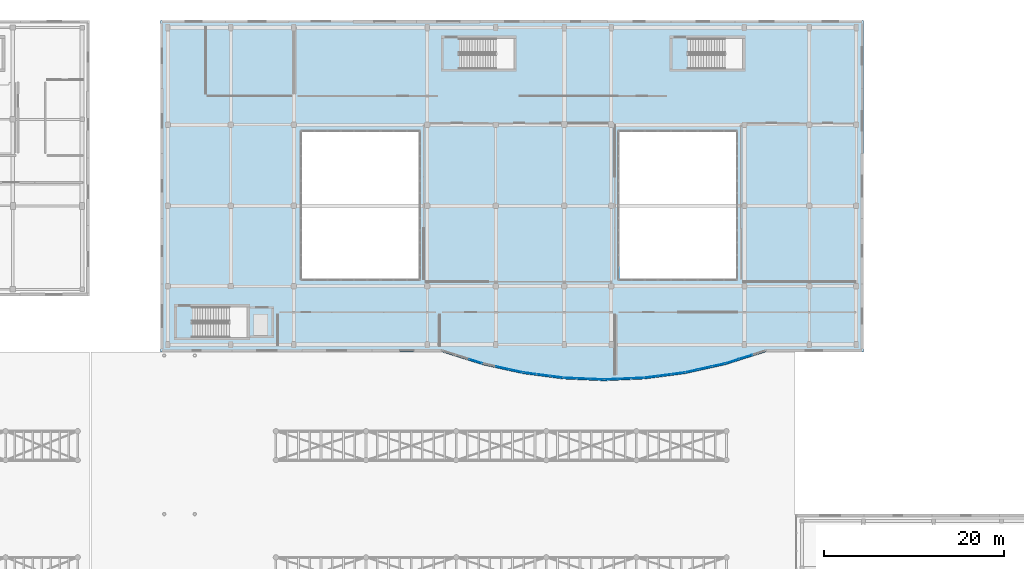
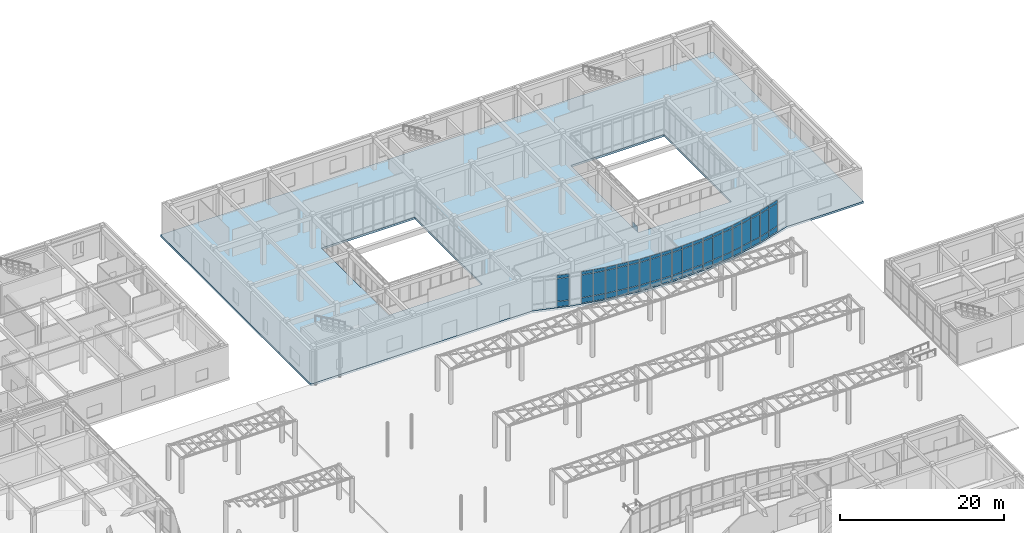
# One storey, part 84 of 121: 61 plates, 1 slab, 9 elements without a shape of their own.
"""IFC4 building model written with IfcOpenShell, lengths in metres."""

import ifcopenshell
import ifcopenshell.guid

model = None  # the IFC model being written
_history = None  # IfcOwnerHistory: only IFC2X3 demands one
_inside = {}  # id of a spatial element -> (the spatial element, [elements in it])
_under = {}  # id of a project, library or spatial element -> (it, [spatial elements below it])
_declared = {}  # id of a project -> (the project, [libraries it declares])
_typed = {}  # id of a type object -> (the type object, [elements of that type])
_made_of = {}  # id of a material, layer set ... -> (it, [elements and type objects made of it])


def new_model(schema):
    """Start an empty IFC model of exactly this schema.

    Asked for "IFC4X3", IfcOpenShell would pick the latest addendum, in which some entities
    have other attributes; the version numbers below select the first issue.
    IFC2X3 requires an IfcOwnerHistory on every rooted entity: one is made here for all.
    """
    global model, _history
    if schema == "IFC4X3":
        model = ifcopenshell.file(schema_version=(4, 3, 0, 0))
    else:
        model = ifcopenshell.file(schema=schema)
    _inside.clear()
    _under.clear()
    _declared.clear()
    _typed.clear()
    _made_of.clear()
    _history = None
    if model.schema == "IFC2X3":
        org = make("IfcOrganization", Name="unknown")
        user = make(
            "IfcPersonAndOrganization",
            ThePerson=make("IfcPerson", FamilyName="unknown"),
            TheOrganization=org,
        )
        app = make(
            "IfcApplication",
            ApplicationDeveloper=org,
            Version="unknown",
            ApplicationFullName="unknown",
            ApplicationIdentifier="unknown",
        )
        _history = make(
            "IfcOwnerHistory",
            OwningUser=user,
            OwningApplication=app,
            ChangeAction="ADDED",
            CreationDate=0,
        )
    return model


def make(cls, **values):
    """One entity of the class cls with the attributes given. An attribute that is None is left unset."""
    return model.create_entity(
        cls, **{name: value for name, value in values.items() if value is not None}
    )


def rooted(cls, **values):
    """An entity with a GlobalId (a new one), such as an element, a storey or a relation."""
    return make(cls, GlobalId=ifcopenshell.guid.new(), OwnerHistory=_history, **values)


def si_unit(unit_type, name, prefix=None):
    """IfcSIUnit, for example si_unit("LENGTHUNIT", "METRE", prefix="MILLI")."""
    return make("IfcSIUnit", UnitType=unit_type, Prefix=prefix, Name=name)


def assignment(units):
    """IfcUnitAssignment: the units of a project."""
    return None if units is None else make("IfcUnitAssignment", Units=units)


def point(xyz):
    """IfcCartesianPoint."""
    return None if xyz is None else make("IfcCartesianPoint", Coordinates=xyz)


def direction(xyz):
    """IfcDirection."""
    return None if xyz is None else make("IfcDirection", DirectionRatios=xyz)


def frame(location, z_axis=None, x_axis=None):
    """IfcAxis2Placement3D, a coordinate frame: its origin and axes. An axis left out is left unset."""
    return make(
        "IfcAxis2Placement3D",
        Location=point(location),
        Axis=direction(z_axis),
        RefDirection=direction(x_axis),
    )


def frame_2d(location, x_axis=None):
    """IfcAxis2Placement2D, a coordinate frame in the plane: its origin and x axis."""
    return make(
        "IfcAxis2Placement2D", Location=point(location), RefDirection=direction(x_axis)
    )


def origin():
    """The frame at (0, 0, 0) with its axes left unset."""
    return frame((0.0, 0.0, 0.0))


def origin_2d():
    """The frame at (0, 0) in the plane with its x axis left unset."""
    return frame_2d((0.0, 0.0))


def place(relative_to, where):
    """IfcLocalPlacement: puts the frame where relative to a parent placement (None: the world)."""
    return make(
        "IfcLocalPlacement", PlacementRelTo=relative_to, RelativePlacement=where
    )


def context(
    kind, dimensions, precision=None, world=None, true_north=None, identifier=None
):
    """IfcGeometricRepresentationContext, for example the 3D "Model" context."""
    return make(
        "IfcGeometricRepresentationContext",
        ContextIdentifier=identifier,
        ContextType=kind,
        CoordinateSpaceDimension=dimensions,
        Precision=precision,
        WorldCoordinateSystem=world,
        TrueNorth=true_north,
    )


def subcontext(parent, identifier, kind, view, scale=None):
    """IfcGeometricRepresentationSubContext, for example "Body" below "Model"."""
    return make(
        "IfcGeometricRepresentationSubContext",
        ContextIdentifier=identifier,
        ContextType=kind,
        ParentContext=parent,
        TargetScale=scale,
        TargetView=view,
    )


def project(units=None, contexts=None):
    """IfcProject with its units and contexts."""
    return rooted(
        "IfcProject",
        Name="project",
        RepresentationContexts=contexts,
        UnitsInContext=assignment(units),
    )


def spatial(cls, under=None, at=None, **own):
    """A site, building, storey or space (cls), placed at a placement, below another one or the project."""
    s = rooted(cls, ObjectPlacement=at, **own)
    if under is not None:
        _under.setdefault(under.id(), (under, []))[1].append(s)
    return s


def polyline(points):
    """IfcPolyline through the points."""
    return make("IfcPolyline", Points=[point(p) for p in points])


def profile(cls, at=None, kind="AREA", **sizes):
    """A parametric profile (cls). Its sizes go by their IFC names, for example OverallWidth=200.0."""
    return make(cls, ProfileType=kind, Position=at, **sizes)


def rectangle(**sizes):
    """IfcRectangleProfileDef."""
    return profile("IfcRectangleProfileDef", **sizes)


def outline(outer, holes=None, kind="AREA"):
    """IfcArbitraryClosedProfileDef: a profile drawn as a closed curve; with holes, ...WithVoids."""
    if holes is None:
        return make("IfcArbitraryClosedProfileDef", ProfileType=kind, OuterCurve=outer)
    return make(
        "IfcArbitraryProfileDefWithVoids",
        ProfileType=kind,
        OuterCurve=outer,
        InnerCurves=holes,
    )


def extrude(swept, where, along, depth):
    """IfcExtrudedAreaSolid: the profile swept, set in the frame where, extruded along a direction by depth."""
    return make(
        "IfcExtrudedAreaSolid",
        SweptArea=swept,
        Position=where,
        ExtrudedDirection=direction(along),
        Depth=depth,
    )


def shape(context_of_items, identifier, shape_type, items):
    """IfcShapeRepresentation: the items that make up one representation, for example the "Body"."""
    return make(
        "IfcShapeRepresentation",
        ContextOfItems=context_of_items,
        RepresentationIdentifier=identifier,
        RepresentationType=shape_type,
        Items=items,
    )


def material(Name=None, Category=None):
    """IfcMaterial."""
    return make("IfcMaterial", Name=Name, Category=Category)


def layer(
    of_material, thickness, ventilated=None, Name=None, Category=None, Priority=None
):
    """IfcMaterialLayer: one layer of a wall or slab, of a material (None: an air gap)."""
    return make(
        "IfcMaterialLayer",
        Material=of_material,
        LayerThickness=thickness,
        IsVentilated=ventilated,
        Name=Name,
        Category=Category,
        Priority=Priority,
    )


def layer_set(layers, Name=None):
    """IfcMaterialLayerSet."""
    return make("IfcMaterialLayerSet", MaterialLayers=layers, LayerSetName=Name)


def made_of(thing, what):
    """Note that an element or type object is made of a material, layer set ...; save() writes the relation."""
    if what is not None:
        _made_of.setdefault(what.id(), (what, []))[1].append(thing)
    return thing


def type_object(cls, material=None, **own):
    """A type object (cls), such as IfcWallType, which elements share."""
    return made_of(rooted(cls, **own), material)


def element(
    cls,
    number,
    at=None,
    inside=None,
    cuts=None,
    type_object=None,
    material=None,
    context=None,
    identifier="Body",
    shape_type=None,
    held_by="IfcProductDefinitionShape",
    body=None,
    shapes=None,
    **own,
):
    """One element of the class cls, such as IfcWall. Its Tag is "e" and its number.

    at: its placement. inside: the storey or other place that contains it. cuts: it is an
    opening in that element (IfcRelVoidsElement). A single representation is given by context,
    identifier, shape_type and body (its items); several are given by shapes. held_by: the class
    of the entity that holds the representations. save() writes the other relations.
    """
    e = rooted(cls, Tag="e%d" % number, ObjectPlacement=at, **own)
    if body is not None:
        shapes = [shape(context, identifier, shape_type, body)]
    if shapes is not None:
        e.Representation = make(held_by, Representations=shapes)
    if inside is not None:
        _inside.setdefault(inside.id(), (inside, []))[1].append(e)
    if cuts is not None:
        rooted(
            "IfcRelVoidsElement", RelatingBuildingElement=cuts, RelatedOpeningElement=e
        )
    if type_object is not None:
        _typed.setdefault(type_object.id(), (type_object, []))[1].append(e)
    return made_of(e, material)


def aggregate(whole, parts):
    """IfcRelAggregates: a whole, such as a stair, and the parts it consists of."""
    return rooted("IfcRelAggregates", RelatingObject=whole, RelatedObjects=parts)


def save(model, path):
    """Write the relations noted so far, then the file.

    IfcRelAggregates (storeys below a building ...), IfcRelContainedInSpatialStructure (elements
    in a storey), IfcRelDefinesByType, IfcRelAssociatesMaterial and IfcRelDeclares: one each for
    every whole, place, type object, material and project.
    """
    for whole, parts in _under.values():
        aggregate(whole, parts)
    for where, things in _inside.values():
        rooted(
            "IfcRelContainedInSpatialStructure",
            RelatedElements=things,
            RelatingStructure=where,
        )
    for kind, things in _typed.values():
        rooted("IfcRelDefinesByType", RelatedObjects=things, RelatingType=kind)
    for what, things in _made_of.values():
        rooted("IfcRelAssociatesMaterial", RelatedObjects=things, RelatingMaterial=what)
    for by, libraries in _declared.values():
        rooted("IfcRelDeclares", RelatingContext=by, RelatedDefinitions=libraries)
    model.write(path)


model = new_model("IFC4")

# Units and contexts
model_context = context("Model", 3, precision=1e-05, world=origin(), true_north=direction((0.0, 1.0)))
body_context = subcontext(model_context, "Body", "Model", "MODEL_VIEW")
ifc_project = project(units=[si_unit("LENGTHUNIT", "METRE"), si_unit("AREAUNIT", "SQUARE_METRE"), si_unit("VOLUMEUNIT", "CUBIC_METRE"), si_unit("PLANEANGLEUNIT", "RADIAN"), si_unit("MASSUNIT", "GRAM", prefix="KILO")], contexts=[model_context])

# Site, building, storey
site_placement = place(None, origin())
site = spatial("IfcSite", under=ifc_project, at=site_placement, CompositionType="ELEMENT")
building_placement = place(site_placement, origin())
building = spatial("IfcBuilding", under=site, at=building_placement, Name="Valcora Specialist Clinic", CompositionType="ELEMENT")
storey_placement = place(building_placement, origin())
storey = spatial("IfcBuildingStorey", under=building, at=storey_placement, Name="L00", CompositionType="ELEMENT", Elevation=0.0)

# Curtain wall, plates
ifc_material_1 = material(Name="Anodized Bronze Aluminium 6063-T6", Category="aluminium")
ifc_layer_1 = layer(ifc_material_1, 0.175048828125)
ifc_layer_set_1 = layer_set([ifc_layer_1], Name="Anodized Bronze Aluminium 6063-T6")
curtain_wall_type_1 = type_object("IfcCurtainWallType", Name="TY-CW-ARC51", PredefinedType="NOTDEFINED", material=ifc_layer_set_1)
curtain_wall_1_placement = place(storey_placement, origin())
curtain_wall_1 = element("IfcCurtainWall", 1, at=curtain_wall_1_placement, inside=storey, type_object=curtain_wall_type_1, Name="Curtain wall CW-L00-022", PredefinedType="NOTDEFINED")
ifc_material_2 = material(Name="Low-E Laminated Insulating Glass", Category="glass")
ifc_layer_2 = layer(ifc_material_2, 0.028076171875)
ifc_layer_set_2 = layer_set([ifc_layer_2], Name="Low-E Laminated Insulating Glass")
plate_type_1 = type_object("IfcPlateType", Name="TY-CWP-GLZ28", PredefinedType="CURTAIN_PANEL", material=ifc_layer_set_2)
plate_1_placement = place(storey_placement, frame((123.09716796875, 72.543701171875, 0.88232421875), z_axis=(0.0, 0.0, 1.0), x_axis=(-0.976278614432, -0.216518052372, 0.0)))
plate_1 = element("IfcPlate", 2, at=plate_1_placement, type_object=plate_type_1, Name="CW-ARC-51 panel 1.2", PredefinedType="CURTAIN_PANEL", context=body_context, shape_type="SweptSolid", body=[
    extrude(rectangle(XDim=1.4345703125, YDim=0.028076171875, at=origin_2d()), origin(), (0.0, 0.0, 1.0), 3.344970703125),
])
plate_2_placement = place(storey_placement, frame((123.09716796875, 72.543701171875, 4.29248046875), z_axis=(0.0, 0.0, 1.0), x_axis=(-0.976278614432, -0.216518052372, 0.0)))
plate_2 = element("IfcPlate", 3, at=plate_2_placement, type_object=plate_type_1, Name="CW-ARC-51 panel 1.3", PredefinedType="CURTAIN_PANEL", context=body_context, shape_type="SweptSolid", body=[
    extrude(rectangle(XDim=1.4345703125, YDim=0.028076171875, at=origin_2d()), origin(), (0.0, 0.0, 1.0), 0.452392578125),
])
plate_3_placement = place(storey_placement, frame((121.617431640625, 72.21533203125, 0.88232421875), z_axis=(0.0, 0.0, 1.0), x_axis=(-0.976278614432, -0.216518052372, 0.0)))
plate_3 = element("IfcPlate", 4, at=plate_3_placement, type_object=plate_type_1, Name="CW-ARC-51 panel 2.2", PredefinedType="CURTAIN_PANEL", context=body_context, shape_type="SweptSolid", body=[
    extrude(rectangle(XDim=1.467041015625, YDim=0.028076171875, at=origin_2d()), origin(), (0.0, 0.0, 1.0), 3.344970703125),
])
plate_4_placement = place(storey_placement, frame((121.617431640625, 72.21533203125, 4.29248046875), z_axis=(0.0, 0.0, 1.0), x_axis=(-0.976278614432, -0.216518052372, 0.0)))
plate_4 = element("IfcPlate", 5, at=plate_4_placement, type_object=plate_type_1, Name="CW-ARC-51 panel 2.3", PredefinedType="CURTAIN_PANEL", context=body_context, shape_type="SweptSolid", body=[
    extrude(rectangle(XDim=1.467041015625, YDim=0.028076171875, at=origin_2d()), origin(), (0.0, 0.0, 1.0), 0.452392578125),
])
plate_5_placement = place(storey_placement, frame((120.1376953125, 71.88720703125, 0.88232421875), z_axis=(0.0, 0.0, 1.0), x_axis=(-0.976278614432, -0.216518052372, 0.0)))
plate_5 = element("IfcPlate", 6, at=plate_5_placement, type_object=plate_type_1, Name="CW-ARC-51 panel 3.2", PredefinedType="CURTAIN_PANEL", context=body_context, shape_type="SweptSolid", body=[
    extrude(rectangle(XDim=1.4345703125, YDim=0.028076171875, at=origin_2d()), origin(), (0.0, 0.0, 1.0), 3.344970703125),
])
plate_6_placement = place(storey_placement, frame((120.1376953125, 71.88720703125, 4.29248046875), z_axis=(0.0, 0.0, 1.0), x_axis=(-0.976278614432, -0.216518052372, 0.0)))
plate_6 = element("IfcPlate", 7, at=plate_6_placement, type_object=plate_type_1, Name="CW-ARC-51 panel 3.3", PredefinedType="CURTAIN_PANEL", context=body_context, shape_type="SweptSolid", body=[
    extrude(rectangle(XDim=1.4345703125, YDim=0.028076171875, at=origin_2d()), origin(), (0.0, 0.0, 1.0), 0.452392578125),
])

curtain_wall_2_placement = place(storey_placement, origin())
curtain_wall_2 = element("IfcCurtainWall", 8, at=curtain_wall_2_placement, inside=storey, type_object=curtain_wall_type_1, Name="Curtain wall CW-L00-024", PredefinedType="NOTDEFINED")
plate_7_placement = place(storey_placement, frame((114.123046875, 71.096435546875, 0.88232421875), z_axis=(0.0, 0.0, 1.0), x_axis=(-0.999061821291, -0.043306780525, 0.0)))
plate_7 = element("IfcPlate", 9, at=plate_7_placement, type_object=plate_type_1, Name="CW-ARC-51 panel 1.2", PredefinedType="CURTAIN_PANEL", context=body_context, shape_type="SweptSolid", body=[
    extrude(rectangle(XDim=1.399658203125, YDim=0.028076171875, at=origin_2d()), origin(), (0.0, 0.0, 1.0), 3.344970703125),
])
plate_8_placement = place(storey_placement, frame((114.123046875, 71.096435546875, 4.29248046875), z_axis=(0.0, 0.0, 1.0), x_axis=(-0.999061821291, -0.043306780525, 0.0)))
plate_8 = element("IfcPlate", 10, at=plate_8_placement, type_object=plate_type_1, Name="CW-ARC-51 panel 1.3", PredefinedType="CURTAIN_PANEL", context=body_context, shape_type="SweptSolid", body=[
    extrude(rectangle(XDim=1.399658203125, YDim=0.028076171875, at=origin_2d()), origin(), (0.0, 0.0, 1.0), 0.452392578125),
])
plate_9_placement = place(storey_placement, frame((112.6435546875, 71.032470703125, 0.88232421875), z_axis=(0.0, 0.0, 1.0), x_axis=(-0.999061821291, -0.043306780525, 0.0)))
plate_9 = element("IfcPlate", 11, at=plate_9_placement, type_object=plate_type_1, Name="CW-ARC-51 panel 2.2", PredefinedType="CURTAIN_PANEL", context=body_context, shape_type="SweptSolid", body=[
    extrude(rectangle(XDim=1.43212890625, YDim=0.028076171875, at=origin_2d()), origin(), (0.0, 0.0, 1.0), 3.344970703125),
])
plate_10_placement = place(storey_placement, frame((112.6435546875, 71.032470703125, 4.29248046875), z_axis=(0.0, 0.0, 1.0), x_axis=(-0.999061821291, -0.043306780525, 0.0)))
plate_10 = element("IfcPlate", 12, at=plate_10_placement, type_object=plate_type_1, Name="CW-ARC-51 panel 2.3", PredefinedType="CURTAIN_PANEL", context=body_context, shape_type="SweptSolid", body=[
    extrude(rectangle(XDim=1.43212890625, YDim=0.028076171875, at=origin_2d()), origin(), (0.0, 0.0, 1.0), 0.452392578125),
])
plate_11_placement = place(storey_placement, frame((111.1640625, 70.96826171875, 0.88232421875), z_axis=(0.0, 0.0, 1.0), x_axis=(-0.999061821291, -0.043306780525, 0.0)))
plate_11 = element("IfcPlate", 13, at=plate_11_placement, type_object=plate_type_1, Name="CW-ARC-51 panel 3.2", PredefinedType="CURTAIN_PANEL", context=body_context, shape_type="SweptSolid", body=[
    extrude(rectangle(XDim=1.399658203125, YDim=0.028076171875, at=origin_2d()), origin(), (0.0, 0.0, 1.0), 3.344970703125),
])
plate_12_placement = place(storey_placement, frame((111.1640625, 70.96826171875, 4.29248046875), z_axis=(0.0, 0.0, 1.0), x_axis=(-0.999061821291, -0.043306780525, 0.0)))
plate_12 = element("IfcPlate", 14, at=plate_12_placement, type_object=plate_type_1, Name="CW-ARC-51 panel 3.3", PredefinedType="CURTAIN_PANEL", context=body_context, shape_type="SweptSolid", body=[
    extrude(rectangle(XDim=1.399658203125, YDim=0.028076171875, at=origin_2d()), origin(), (0.0, 0.0, 1.0), 0.452392578125),
])

curtain_wall_3_placement = place(storey_placement, origin())
curtain_wall_3 = element("IfcCurtainWall", 15, at=curtain_wall_3_placement, inside=storey, type_object=curtain_wall_type_1, Name="Curtain wall CW-L00-026", PredefinedType="NOTDEFINED")
plate_13_placement = place(storey_placement, frame((105.149169921875, 71.229736328125, 0.88232421875), z_axis=(0.0, 0.0, 1.0), x_axis=(-0.991514060421, 0.129999492259, 0.0)))
plate_13 = element("IfcPlate", 16, at=plate_13_placement, type_object=plate_type_1, Name="CW-ARC-51 panel 1.2", PredefinedType="CURTAIN_PANEL", context=body_context, shape_type="SweptSolid", body=[
    extrude(rectangle(XDim=1.410888671875, YDim=0.028076171875, at=origin_2d()), origin(), (0.0, 0.0, 1.0), 3.344970703125),
])
plate_14_placement = place(storey_placement, frame((105.149169921875, 71.229736328125, 4.29248046875), z_axis=(0.0, 0.0, 1.0), x_axis=(-0.991514060421, 0.129999492259, 0.0)))
plate_14 = element("IfcPlate", 17, at=plate_14_placement, type_object=plate_type_1, Name="CW-ARC-51 panel 1.3", PredefinedType="CURTAIN_PANEL", context=body_context, shape_type="SweptSolid", body=[
    extrude(rectangle(XDim=1.410888671875, YDim=0.028076171875, at=origin_2d()), origin(), (0.0, 0.0, 1.0), 0.452392578125),
])
plate_15_placement = place(storey_placement, frame((103.66943359375, 71.423828125, 0.88232421875), z_axis=(0.0, 0.0, 1.0), x_axis=(-0.991514060421, 0.129999492259, 0.0)))
plate_15 = element("IfcPlate", 18, at=plate_15_placement, type_object=plate_type_1, Name="CW-ARC-51 panel 2.2", PredefinedType="CURTAIN_PANEL", context=body_context, shape_type="SweptSolid", body=[
    extrude(rectangle(XDim=1.443359375, YDim=0.028076171875, at=origin_2d()), origin(), (0.0, 0.0, 1.0), 3.344970703125),
])
plate_16_placement = place(storey_placement, frame((103.66943359375, 71.423828125, 4.29248046875), z_axis=(0.0, 0.0, 1.0), x_axis=(-0.991514060421, 0.129999492259, 0.0)))
plate_16 = element("IfcPlate", 19, at=plate_16_placement, type_object=plate_type_1, Name="CW-ARC-51 panel 2.3", PredefinedType="CURTAIN_PANEL", context=body_context, shape_type="SweptSolid", body=[
    extrude(rectangle(XDim=1.443359375, YDim=0.028076171875, at=origin_2d()), origin(), (0.0, 0.0, 1.0), 0.452392578125),
])
plate_17_placement = place(storey_placement, frame((102.18994140625, 71.61767578125, 0.88232421875), z_axis=(0.0, 0.0, 1.0), x_axis=(-0.991514060421, 0.129999492259, 0.0)))
plate_17 = element("IfcPlate", 20, at=plate_17_placement, type_object=plate_type_1, Name="CW-ARC-51 panel 3.2", PredefinedType="CURTAIN_PANEL", context=body_context, shape_type="SweptSolid", body=[
    extrude(rectangle(XDim=1.410888671875, YDim=0.028076171875, at=origin_2d()), origin(), (0.0, 0.0, 1.0), 3.344970703125),
])
plate_18_placement = place(storey_placement, frame((102.18994140625, 71.61767578125, 4.29248046875), z_axis=(0.0, 0.0, 1.0), x_axis=(-0.991514060421, 0.129999492259, 0.0)))
plate_18 = element("IfcPlate", 21, at=plate_18_placement, type_object=plate_type_1, Name="CW-ARC-51 panel 3.3", PredefinedType="CURTAIN_PANEL", context=body_context, shape_type="SweptSolid", body=[
    extrude(rectangle(XDim=1.410888671875, YDim=0.028076171875, at=origin_2d()), origin(), (0.0, 0.0, 1.0), 0.452392578125),
])

curtain_wall_4_placement = place(storey_placement, origin())
curtain_wall_4 = element("IfcCurtainWall", 22, at=curtain_wall_4_placement, inside=storey, type_object=curtain_wall_type_1, Name="Curtain wall CW-L00-028", PredefinedType="NOTDEFINED")
plate_19_placement = place(storey_placement, frame((96.1708984375, 72.95751953125, 0.88232421875), z_axis=(0.0, 0.0, 1.0), x_axis=(-0.952916356972, 0.303233270958, 0.0)))
plate_19 = element("IfcPlate", 23, at=plate_19_placement, type_object=plate_type_1, Name="CW-ARC-51 panel 1.2", PredefinedType="CURTAIN_PANEL", context=body_context, shape_type="SweptSolid", body=[
    extrude(rectangle(XDim=1.482177734375, YDim=0.028076171875, at=origin_2d()), origin(), (0.0, 0.0, 1.0), 3.344970703125),
])
plate_20_placement = place(storey_placement, frame((96.1708984375, 72.95751953125, 4.29248046875), z_axis=(0.0, 0.0, 1.0), x_axis=(-0.952916356972, 0.303233270958, 0.0)))
plate_20 = element("IfcPlate", 24, at=plate_20_placement, type_object=plate_type_1, Name="CW-ARC-51 panel 1.3", PredefinedType="CURTAIN_PANEL", context=body_context, shape_type="SweptSolid", body=[
    extrude(rectangle(XDim=1.482177734375, YDim=0.028076171875, at=origin_2d()), origin(), (0.0, 0.0, 1.0), 0.452392578125),
])

curtain_wall_5_placement = place(storey_placement, origin())
curtain_wall_5 = element("IfcCurtainWall", 25, at=curtain_wall_5_placement, inside=storey, type_object=curtain_wall_type_1, Name="Curtain wall CW-L00-021", PredefinedType="NOTDEFINED")
ifc_layer_3 = layer(ifc_material_2, 0.033935546875)
ifc_layer_set_3 = layer_set([ifc_layer_3], Name="Low-E Laminated Insulating Glass")
plate_type_2 = type_object("IfcPlateType", Name="TY-CWP-GLZ34", PredefinedType="CURTAIN_PANEL", material=ifc_layer_set_3)
plate_21_placement = place(storey_placement, frame((126.118896484375, 73.431396484375, 0.88232421875), z_axis=(0.0, 0.0, 1.0), x_axis=(-0.952916356972, -0.303233270958, 0.0)))
plate_21 = element("IfcPlate", 26, at=plate_21_placement, type_object=plate_type_2, Name="CW-ARC-51 panel 2.2", PredefinedType="CURTAIN_PANEL", context=body_context, shape_type="SweptSolid", body=[
    extrude(rectangle(XDim=1.5146484375, YDim=0.033935546875, at=origin_2d()), origin(), (0.0, 0.0, 1.0), 3.344970703125),
])
plate_22_placement = place(storey_placement, frame((126.118896484375, 73.431396484375, 4.29248046875), z_axis=(0.0, 0.0, 1.0), x_axis=(-0.952916356972, -0.303233270958, 0.0)))
plate_22 = element("IfcPlate", 27, at=plate_22_placement, type_object=plate_type_2, Name="CW-ARC-51 panel 2.3", PredefinedType="CURTAIN_PANEL", context=body_context, shape_type="SweptSolid", body=[
    extrude(rectangle(XDim=1.5146484375, YDim=0.033935546875, at=origin_2d()), origin(), (0.0, 0.0, 1.0), 0.452392578125),
])
plate_23_placement = place(storey_placement, frame((124.62890625, 72.95751953125, 0.88232421875), z_axis=(0.0, 0.0, 1.0), x_axis=(-0.952916356972, -0.303233270958, 0.0)))
plate_23 = element("IfcPlate", 28, at=plate_23_placement, type_object=plate_type_2, Name="CW-ARC-51 panel 3.2", PredefinedType="CURTAIN_PANEL", context=body_context, shape_type="SweptSolid", body=[
    extrude(rectangle(XDim=1.482177734375, YDim=0.033935546875, at=origin_2d()), origin(), (0.0, 0.0, 1.0), 3.344970703125),
])
plate_24_placement = place(storey_placement, frame((124.62890625, 72.95751953125, 4.29248046875), z_axis=(0.0, 0.0, 1.0), x_axis=(-0.952916356972, -0.303233270958, 0.0)))
plate_24 = element("IfcPlate", 29, at=plate_24_placement, type_object=plate_type_2, Name="CW-ARC-51 panel 3.3", PredefinedType="CURTAIN_PANEL", context=body_context, shape_type="SweptSolid", body=[
    extrude(rectangle(XDim=1.482177734375, YDim=0.033935546875, at=origin_2d()), origin(), (0.0, 0.0, 1.0), 0.452392578125),
])

curtain_wall_6_placement = place(storey_placement, origin())
curtain_wall_6 = element("IfcCurtainWall", 30, at=curtain_wall_6_placement, inside=storey, type_object=curtain_wall_type_1, Name="Curtain wall CW-L00-023", PredefinedType="NOTDEFINED")
plate_25_placement = place(storey_placement, frame((118.610107421875, 71.61767578125, 0.88232421875), z_axis=(0.0, 0.0, 1.0), x_axis=(-0.991514060421, -0.129999492259, 0.0)))
plate_25 = element("IfcPlate", 31, at=plate_25_placement, type_object=plate_type_2, Name="CW-ARC-51 panel 1.2", PredefinedType="CURTAIN_PANEL", context=body_context, shape_type="SweptSolid", body=[
    extrude(rectangle(XDim=1.410888671875, YDim=0.033935546875, at=origin_2d()), origin(), (0.0, 0.0, 1.0), 3.344970703125),
])
plate_26_placement = place(storey_placement, frame((118.610107421875, 71.61767578125, 4.29248046875), z_axis=(0.0, 0.0, 1.0), x_axis=(-0.991514060421, -0.129999492259, 0.0)))
plate_26 = element("IfcPlate", 32, at=plate_26_placement, type_object=plate_type_2, Name="CW-ARC-51 panel 1.3", PredefinedType="CURTAIN_PANEL", context=body_context, shape_type="SweptSolid", body=[
    extrude(rectangle(XDim=1.410888671875, YDim=0.033935546875, at=origin_2d()), origin(), (0.0, 0.0, 1.0), 0.452392578125),
])
plate_27_placement = place(storey_placement, frame((117.130615234375, 71.423828125, 0.88232421875), z_axis=(0.0, 0.0, 1.0), x_axis=(-0.991514060421, -0.129999492259, 0.0)))
plate_27 = element("IfcPlate", 33, at=plate_27_placement, type_object=plate_type_2, Name="CW-ARC-51 panel 2.2", PredefinedType="CURTAIN_PANEL", context=body_context, shape_type="SweptSolid", body=[
    extrude(rectangle(XDim=1.443359375, YDim=0.033935546875, at=origin_2d()), origin(), (0.0, 0.0, 1.0), 3.344970703125),
])
plate_28_placement = place(storey_placement, frame((117.130615234375, 71.423828125, 4.29248046875), z_axis=(0.0, 0.0, 1.0), x_axis=(-0.991514060421, -0.129999492259, 0.0)))
plate_28 = element("IfcPlate", 34, at=plate_28_placement, type_object=plate_type_2, Name="CW-ARC-51 panel 2.3", PredefinedType="CURTAIN_PANEL", context=body_context, shape_type="SweptSolid", body=[
    extrude(rectangle(XDim=1.443359375, YDim=0.033935546875, at=origin_2d()), origin(), (0.0, 0.0, 1.0), 0.452392578125),
])
plate_29_placement = place(storey_placement, frame((115.65087890625, 71.229736328125, 0.88232421875), z_axis=(0.0, 0.0, 1.0), x_axis=(-0.991514060421, -0.129999492259, 0.0)))
plate_29 = element("IfcPlate", 35, at=plate_29_placement, type_object=plate_type_2, Name="CW-ARC-51 panel 3.2", PredefinedType="CURTAIN_PANEL", context=body_context, shape_type="SweptSolid", body=[
    extrude(rectangle(XDim=1.410888671875, YDim=0.033935546875, at=origin_2d()), origin(), (0.0, 0.0, 1.0), 3.344970703125),
])
plate_30_placement = place(storey_placement, frame((115.65087890625, 71.229736328125, 4.29248046875), z_axis=(0.0, 0.0, 1.0), x_axis=(-0.991514060421, -0.129999492259, 0.0)))
plate_30 = element("IfcPlate", 36, at=plate_30_placement, type_object=plate_type_2, Name="CW-ARC-51 panel 3.3", PredefinedType="CURTAIN_PANEL", context=body_context, shape_type="SweptSolid", body=[
    extrude(rectangle(XDim=1.410888671875, YDim=0.033935546875, at=origin_2d()), origin(), (0.0, 0.0, 1.0), 0.452392578125),
])

curtain_wall_7_placement = place(storey_placement, origin())
curtain_wall_7 = element("IfcCurtainWall", 37, at=curtain_wall_7_placement, inside=storey, type_object=curtain_wall_type_1, Name="Curtain wall CW-L00-025", PredefinedType="NOTDEFINED")
plate_31_placement = place(storey_placement, frame((109.635986328125, 70.96826171875, 0.88232421875), z_axis=(0.0, 0.0, 1.0), x_axis=(-0.999061821291, 0.043306780525, 0.0)))
plate_31 = element("IfcPlate", 38, at=plate_31_placement, type_object=plate_type_2, Name="CW-ARC-51 panel 1.2", PredefinedType="CURTAIN_PANEL", context=body_context, shape_type="SweptSolid", body=[
    extrude(rectangle(XDim=1.399658203125, YDim=0.033935546875, at=origin_2d()), origin(), (0.0, 0.0, 1.0), 3.344970703125),
])
plate_32_placement = place(storey_placement, frame((109.635986328125, 70.96826171875, 4.29248046875), z_axis=(0.0, 0.0, 1.0), x_axis=(-0.999061821291, 0.043306780525, 0.0)))
plate_32 = element("IfcPlate", 39, at=plate_32_placement, type_object=plate_type_2, Name="CW-ARC-51 panel 1.3", PredefinedType="CURTAIN_PANEL", context=body_context, shape_type="SweptSolid", body=[
    extrude(rectangle(XDim=1.399658203125, YDim=0.033935546875, at=origin_2d()), origin(), (0.0, 0.0, 1.0), 0.452392578125),
])
plate_33_placement = place(storey_placement, frame((108.156494140625, 71.032470703125, 0.88232421875), z_axis=(0.0, 0.0, 1.0), x_axis=(-0.999061821291, 0.043306780525, 0.0)))
plate_33 = element("IfcPlate", 40, at=plate_33_placement, type_object=plate_type_2, Name="CW-ARC-51 panel 2.2", PredefinedType="CURTAIN_PANEL", context=body_context, shape_type="SweptSolid", body=[
    extrude(rectangle(XDim=1.43212890625, YDim=0.033935546875, at=origin_2d()), origin(), (0.0, 0.0, 1.0), 3.344970703125),
])
plate_34_placement = place(storey_placement, frame((108.156494140625, 71.032470703125, 4.29248046875), z_axis=(0.0, 0.0, 1.0), x_axis=(-0.999061821291, 0.043306780525, 0.0)))
plate_34 = element("IfcPlate", 41, at=plate_34_placement, type_object=plate_type_2, Name="CW-ARC-51 panel 2.3", PredefinedType="CURTAIN_PANEL", context=body_context, shape_type="SweptSolid", body=[
    extrude(rectangle(XDim=1.43212890625, YDim=0.033935546875, at=origin_2d()), origin(), (0.0, 0.0, 1.0), 0.452392578125),
])
plate_35_placement = place(storey_placement, frame((106.677001953125, 71.096435546875, 0.88232421875), z_axis=(0.0, 0.0, 1.0), x_axis=(-0.999061821291, 0.043306780525, 0.0)))
plate_35 = element("IfcPlate", 42, at=plate_35_placement, type_object=plate_type_2, Name="CW-ARC-51 panel 3.2", PredefinedType="CURTAIN_PANEL", context=body_context, shape_type="SweptSolid", body=[
    extrude(rectangle(XDim=1.399658203125, YDim=0.033935546875, at=origin_2d()), origin(), (0.0, 0.0, 1.0), 3.344970703125),
])
plate_36_placement = place(storey_placement, frame((106.677001953125, 71.096435546875, 4.29248046875), z_axis=(0.0, 0.0, 1.0), x_axis=(-0.999061821291, 0.043306780525, 0.0)))
plate_36 = element("IfcPlate", 43, at=plate_36_placement, type_object=plate_type_2, Name="CW-ARC-51 panel 3.3", PredefinedType="CURTAIN_PANEL", context=body_context, shape_type="SweptSolid", body=[
    extrude(rectangle(XDim=1.399658203125, YDim=0.033935546875, at=origin_2d()), origin(), (0.0, 0.0, 1.0), 0.452392578125),
])

curtain_wall_8_placement = place(storey_placement, origin())
curtain_wall_8 = element("IfcCurtainWall", 44, at=curtain_wall_8_placement, inside=storey, type_object=curtain_wall_type_1, Name="Curtain wall CW-L00-027", PredefinedType="NOTDEFINED")
plate_37_placement = place(storey_placement, frame((100.662353515625, 71.88720703125, 0.88232421875), z_axis=(0.0, 0.0, 1.0), x_axis=(-0.976278614432, 0.216518052372, 0.0)))
plate_37 = element("IfcPlate", 45, at=plate_37_placement, type_object=plate_type_2, Name="CW-ARC-51 panel 1.2", PredefinedType="CURTAIN_PANEL", context=body_context, shape_type="SweptSolid", body=[
    extrude(rectangle(XDim=1.4345703125, YDim=0.033935546875, at=origin_2d()), origin(), (0.0, 0.0, 1.0), 3.344970703125),
])
plate_38_placement = place(storey_placement, frame((100.662353515625, 71.88720703125, 4.29248046875), z_axis=(0.0, 0.0, 1.0), x_axis=(-0.976278614432, 0.216518052372, 0.0)))
plate_38 = element("IfcPlate", 46, at=plate_38_placement, type_object=plate_type_2, Name="CW-ARC-51 panel 1.3", PredefinedType="CURTAIN_PANEL", context=body_context, shape_type="SweptSolid", body=[
    extrude(rectangle(XDim=1.4345703125, YDim=0.033935546875, at=origin_2d()), origin(), (0.0, 0.0, 1.0), 0.452392578125),
])
plate_39_placement = place(storey_placement, frame((99.1826171875, 72.21533203125, 0.88232421875), z_axis=(0.0, 0.0, 1.0), x_axis=(-0.976278614432, 0.216518052372, 0.0)))
plate_39 = element("IfcPlate", 47, at=plate_39_placement, type_object=plate_type_2, Name="CW-ARC-51 panel 2.2", PredefinedType="CURTAIN_PANEL", context=body_context, shape_type="SweptSolid", body=[
    extrude(rectangle(XDim=1.467041015625, YDim=0.033935546875, at=origin_2d()), origin(), (0.0, 0.0, 1.0), 3.344970703125),
])
plate_40_placement = place(storey_placement, frame((99.1826171875, 72.21533203125, 4.29248046875), z_axis=(0.0, 0.0, 1.0), x_axis=(-0.976278614432, 0.216518052372, 0.0)))
plate_40 = element("IfcPlate", 48, at=plate_40_placement, type_object=plate_type_2, Name="CW-ARC-51 panel 2.3", PredefinedType="CURTAIN_PANEL", context=body_context, shape_type="SweptSolid", body=[
    extrude(rectangle(XDim=1.467041015625, YDim=0.033935546875, at=origin_2d()), origin(), (0.0, 0.0, 1.0), 0.452392578125),
])

# Plate
ifc_material_3 = material(Name="Insulated Spandrel Panel")
ifc_layer_4 = layer(ifc_material_3, 0.044921875)
ifc_layer_set_4 = layer_set([ifc_layer_4], Name="Insulated Spandrel Panel")
plate_type_3 = type_object("IfcPlateType", Name="TY-CWP-SPN45", PredefinedType="SHEET", material=ifc_layer_set_4)
plate_41_placement = place(storey_placement, frame((126.118896484375, 73.431396484375, 0.06494140625), z_axis=(0.0, 0.0, 1.0), x_axis=(-0.952916356972, -0.303233270958, 0.0)))
plate_41 = element("IfcPlate", 49, at=plate_41_placement, type_object=plate_type_3, Name="CW-ARC-51 panel 2.1", PredefinedType="SHEET", context=body_context, shape_type="SweptSolid", body=[
    extrude(rectangle(XDim=1.5146484375, YDim=0.044921875, at=origin_2d()), origin(), (0.0, 0.0, 1.0), 0.75244140625),
])

plate_42_placement = place(storey_placement, frame((124.62890625, 72.95751953125, 0.06494140625), z_axis=(0.0, 0.0, 1.0), x_axis=(-0.952916356972, -0.303233270958, 0.0)))
plate_42 = element("IfcPlate", 50, at=plate_42_placement, type_object=plate_type_3, Name="CW-ARC-51 panel 3.1", PredefinedType="SHEET", context=body_context, shape_type="SweptSolid", body=[
    extrude(rectangle(XDim=1.482177734375, YDim=0.044921875, at=origin_2d()), origin(), (0.0, 0.0, 1.0), 0.75244140625),
])

aggregate(curtain_wall_5, [plate_41, plate_21, plate_22, plate_42, plate_23, plate_24])

plate_43_placement = place(storey_placement, frame((123.09716796875, 72.543701171875, 0.06494140625), z_axis=(0.0, 0.0, 1.0), x_axis=(-0.976278614432, -0.216518052372, 0.0)))
plate_43 = element("IfcPlate", 51, at=plate_43_placement, type_object=plate_type_3, Name="CW-ARC-51 panel 1.1", PredefinedType="SHEET", context=body_context, shape_type="SweptSolid", body=[
    extrude(rectangle(XDim=1.4345703125, YDim=0.044921875, at=origin_2d()), origin(), (0.0, 0.0, 1.0), 0.75244140625),
])

plate_44_placement = place(storey_placement, frame((121.617431640625, 72.21533203125, 0.06494140625), z_axis=(0.0, 0.0, 1.0), x_axis=(-0.976278614432, -0.216518052372, 0.0)))
plate_44 = element("IfcPlate", 52, at=plate_44_placement, type_object=plate_type_3, Name="CW-ARC-51 panel 2.1", PredefinedType="SHEET", context=body_context, shape_type="SweptSolid", body=[
    extrude(rectangle(XDim=1.467041015625, YDim=0.044921875, at=origin_2d()), origin(), (0.0, 0.0, 1.0), 0.75244140625),
])

plate_45_placement = place(storey_placement, frame((120.1376953125, 71.88720703125, 0.06494140625), z_axis=(0.0, 0.0, 1.0), x_axis=(-0.976278614432, -0.216518052372, 0.0)))
plate_45 = element("IfcPlate", 53, at=plate_45_placement, type_object=plate_type_3, Name="CW-ARC-51 panel 3.1", PredefinedType="SHEET", context=body_context, shape_type="SweptSolid", body=[
    extrude(rectangle(XDim=1.4345703125, YDim=0.044921875, at=origin_2d()), origin(), (0.0, 0.0, 1.0), 0.75244140625),
])

aggregate(curtain_wall_1, [plate_43, plate_1, plate_2, plate_44, plate_3, plate_4, plate_45, plate_5, plate_6])

plate_46_placement = place(storey_placement, frame((118.610107421875, 71.61767578125, 0.06494140625), z_axis=(0.0, 0.0, 1.0), x_axis=(-0.991514060421, -0.129999492259, 0.0)))
plate_46 = element("IfcPlate", 54, at=plate_46_placement, type_object=plate_type_3, Name="CW-ARC-51 panel 1.1", PredefinedType="SHEET", context=body_context, shape_type="SweptSolid", body=[
    extrude(rectangle(XDim=1.410888671875, YDim=0.044921875, at=origin_2d()), origin(), (0.0, 0.0, 1.0), 0.75244140625),
])

plate_47_placement = place(storey_placement, frame((117.130615234375, 71.423828125, 0.06494140625), z_axis=(0.0, 0.0, 1.0), x_axis=(-0.991514060421, -0.129999492259, 0.0)))
plate_47 = element("IfcPlate", 55, at=plate_47_placement, type_object=plate_type_3, Name="CW-ARC-51 panel 2.1", PredefinedType="SHEET", context=body_context, shape_type="SweptSolid", body=[
    extrude(rectangle(XDim=1.443359375, YDim=0.044921875, at=origin_2d()), origin(), (0.0, 0.0, 1.0), 0.75244140625),
])

plate_48_placement = place(storey_placement, frame((115.65087890625, 71.229736328125, 0.06494140625), z_axis=(0.0, 0.0, 1.0), x_axis=(-0.991514060421, -0.129999492259, 0.0)))
plate_48 = element("IfcPlate", 56, at=plate_48_placement, type_object=plate_type_3, Name="CW-ARC-51 panel 3.1", PredefinedType="SHEET", context=body_context, shape_type="SweptSolid", body=[
    extrude(rectangle(XDim=1.410888671875, YDim=0.044921875, at=origin_2d()), origin(), (0.0, 0.0, 1.0), 0.75244140625),
])

aggregate(curtain_wall_6, [plate_46, plate_25, plate_26, plate_47, plate_27, plate_28, plate_48, plate_29, plate_30])

plate_49_placement = place(storey_placement, frame((114.123046875, 71.096435546875, 0.06494140625), z_axis=(0.0, 0.0, 1.0), x_axis=(-0.999061821291, -0.043306780525, 0.0)))
plate_49 = element("IfcPlate", 57, at=plate_49_placement, type_object=plate_type_3, Name="CW-ARC-51 panel 1.1", PredefinedType="SHEET", context=body_context, shape_type="SweptSolid", body=[
    extrude(rectangle(XDim=1.399658203125, YDim=0.044921875, at=origin_2d()), origin(), (0.0, 0.0, 1.0), 0.75244140625),
])

plate_50_placement = place(storey_placement, frame((112.6435546875, 71.032470703125, 0.06494140625), z_axis=(0.0, 0.0, 1.0), x_axis=(-0.999061821291, -0.043306780525, 0.0)))
plate_50 = element("IfcPlate", 58, at=plate_50_placement, type_object=plate_type_3, Name="CW-ARC-51 panel 2.1", PredefinedType="SHEET", context=body_context, shape_type="SweptSolid", body=[
    extrude(rectangle(XDim=1.43212890625, YDim=0.044921875, at=origin_2d()), origin(), (0.0, 0.0, 1.0), 0.75244140625),
])

plate_51_placement = place(storey_placement, frame((111.1640625, 70.96826171875, 0.06494140625), z_axis=(0.0, 0.0, 1.0), x_axis=(-0.999061821291, -0.043306780525, 0.0)))
plate_51 = element("IfcPlate", 59, at=plate_51_placement, type_object=plate_type_3, Name="CW-ARC-51 panel 3.1", PredefinedType="SHEET", context=body_context, shape_type="SweptSolid", body=[
    extrude(rectangle(XDim=1.399658203125, YDim=0.044921875, at=origin_2d()), origin(), (0.0, 0.0, 1.0), 0.75244140625),
])

aggregate(curtain_wall_2, [plate_49, plate_7, plate_8, plate_50, plate_9, plate_10, plate_51, plate_11, plate_12])

plate_52_placement = place(storey_placement, frame((109.635986328125, 70.96826171875, 0.06494140625), z_axis=(0.0, 0.0, 1.0), x_axis=(-0.999061821291, 0.043306780525, 0.0)))
plate_52 = element("IfcPlate", 60, at=plate_52_placement, type_object=plate_type_3, Name="CW-ARC-51 panel 1.1", PredefinedType="SHEET", context=body_context, shape_type="SweptSolid", body=[
    extrude(rectangle(XDim=1.399658203125, YDim=0.044921875, at=origin_2d()), origin(), (0.0, 0.0, 1.0), 0.75244140625),
])

plate_53_placement = place(storey_placement, frame((108.156494140625, 71.032470703125, 0.06494140625), z_axis=(0.0, 0.0, 1.0), x_axis=(-0.999061821291, 0.043306780525, 0.0)))
plate_53 = element("IfcPlate", 61, at=plate_53_placement, type_object=plate_type_3, Name="CW-ARC-51 panel 2.1", PredefinedType="SHEET", context=body_context, shape_type="SweptSolid", body=[
    extrude(rectangle(XDim=1.43212890625, YDim=0.044921875, at=origin_2d()), origin(), (0.0, 0.0, 1.0), 0.75244140625),
])

plate_54_placement = place(storey_placement, frame((106.677001953125, 71.096435546875, 0.06494140625), z_axis=(0.0, 0.0, 1.0), x_axis=(-0.999061821291, 0.043306780525, 0.0)))
plate_54 = element("IfcPlate", 62, at=plate_54_placement, type_object=plate_type_3, Name="CW-ARC-51 panel 3.1", PredefinedType="SHEET", context=body_context, shape_type="SweptSolid", body=[
    extrude(rectangle(XDim=1.399658203125, YDim=0.044921875, at=origin_2d()), origin(), (0.0, 0.0, 1.0), 0.75244140625),
])

aggregate(curtain_wall_7, [plate_52, plate_31, plate_32, plate_53, plate_33, plate_34, plate_54, plate_35, plate_36])

plate_55_placement = place(storey_placement, frame((105.149169921875, 71.229736328125, 0.06494140625), z_axis=(0.0, 0.0, 1.0), x_axis=(-0.991514060421, 0.129999492259, 0.0)))
plate_55 = element("IfcPlate", 63, at=plate_55_placement, type_object=plate_type_3, Name="CW-ARC-51 panel 1.1", PredefinedType="SHEET", context=body_context, shape_type="SweptSolid", body=[
    extrude(rectangle(XDim=1.410888671875, YDim=0.044921875, at=origin_2d()), origin(), (0.0, 0.0, 1.0), 0.75244140625),
])

plate_56_placement = place(storey_placement, frame((103.66943359375, 71.423828125, 0.06494140625), z_axis=(0.0, 0.0, 1.0), x_axis=(-0.991514060421, 0.129999492259, 0.0)))
plate_56 = element("IfcPlate", 64, at=plate_56_placement, type_object=plate_type_3, Name="CW-ARC-51 panel 2.1", PredefinedType="SHEET", context=body_context, shape_type="SweptSolid", body=[
    extrude(rectangle(XDim=1.443359375, YDim=0.044921875, at=origin_2d()), origin(), (0.0, 0.0, 1.0), 0.75244140625),
])

plate_57_placement = place(storey_placement, frame((102.18994140625, 71.61767578125, 0.06494140625), z_axis=(0.0, 0.0, 1.0), x_axis=(-0.991514060421, 0.129999492259, 0.0)))
plate_57 = element("IfcPlate", 65, at=plate_57_placement, type_object=plate_type_3, Name="CW-ARC-51 panel 3.1", PredefinedType="SHEET", context=body_context, shape_type="SweptSolid", body=[
    extrude(rectangle(XDim=1.410888671875, YDim=0.044921875, at=origin_2d()), origin(), (0.0, 0.0, 1.0), 0.75244140625),
])

aggregate(curtain_wall_3, [plate_55, plate_13, plate_14, plate_56, plate_15, plate_16, plate_57, plate_17, plate_18])

plate_58_placement = place(storey_placement, frame((100.662353515625, 71.88720703125, 0.06494140625), z_axis=(0.0, 0.0, 1.0), x_axis=(-0.976278614432, 0.216518052372, 0.0)))
plate_58 = element("IfcPlate", 66, at=plate_58_placement, type_object=plate_type_3, Name="CW-ARC-51 panel 1.1", PredefinedType="SHEET", context=body_context, shape_type="SweptSolid", body=[
    extrude(rectangle(XDim=1.4345703125, YDim=0.044921875, at=origin_2d()), origin(), (0.0, 0.0, 1.0), 0.75244140625),
])

plate_59_placement = place(storey_placement, frame((99.1826171875, 72.21533203125, 0.06494140625), z_axis=(0.0, 0.0, 1.0), x_axis=(-0.976278614432, 0.216518052372, 0.0)))
plate_59 = element("IfcPlate", 67, at=plate_59_placement, type_object=plate_type_3, Name="CW-ARC-51 panel 2.1", PredefinedType="SHEET", context=body_context, shape_type="SweptSolid", body=[
    extrude(rectangle(XDim=1.467041015625, YDim=0.044921875, at=origin_2d()), origin(), (0.0, 0.0, 1.0), 0.75244140625),
])

aggregate(curtain_wall_8, [plate_58, plate_37, plate_38, plate_59, plate_39, plate_40])

plate_60_placement = place(storey_placement, frame((96.1708984375, 72.95751953125, 0.06494140625), z_axis=(0.0, 0.0, 1.0), x_axis=(-0.952916356972, 0.303233270958, 0.0)))
plate_60 = element("IfcPlate", 68, at=plate_60_placement, type_object=plate_type_3, Name="CW-ARC-51 panel 1.1", PredefinedType="SHEET", context=body_context, shape_type="SweptSolid", body=[
    extrude(rectangle(XDim=1.482177734375, YDim=0.044921875, at=origin_2d()), origin(), (0.0, 0.0, 1.0), 0.75244140625),
])

aggregate(curtain_wall_4, [plate_60, plate_19, plate_20])

# Curtain wall, plate
ifc_layer_5 = layer(ifc_material_1, 0.175048828125)
ifc_layer_set_5 = layer_set([ifc_layer_5], Name="Anodized Bronze Aluminium 6063-T6")
curtain_wall_type_2 = type_object("IfcCurtainWallType", Name="TY-CW-CRT15", PredefinedType="NOTDEFINED", material=ifc_layer_set_5)
curtain_wall_9_placement = place(storey_placement, origin())
curtain_wall_9 = element("IfcCurtainWall", 69, at=curtain_wall_9_placement, inside=storey, type_object=curtain_wall_type_2, Name="Curtain wall CW-L00-052", PredefinedType="NOTDEFINED")
plate_61_placement = place(storey_placement, frame((112.0, 82.703857421875, 0.06494140625), z_axis=(0.0, 0.0, 1.0), x_axis=(0.0, -1.0, 0.0)))
plate_61 = element("IfcPlate", 70, at=plate_61_placement, type_object=plate_type_3, Name="CW-CRT-15 panel 4.1", PredefinedType="SHEET", context=body_context, shape_type="SweptSolid", body=[
    extrude(rectangle(XDim=1.277587890625, YDim=0.044921875, at=origin_2d()), origin(), (0.0, 0.0, 1.0), 0.75244140625),
])
aggregate(curtain_wall_9, [plate_61])

# Slab
ifc_material_4 = material(Name="Concrete C40/50", Category="concrete")
ifc_layer_6 = layer(ifc_material_4, 0.300048828125)
ifc_layer_set_6 = layer_set([ifc_layer_6], Name="Concrete C40/50")
slab_type = type_object("IfcSlabType", Name="TY-SL-FLR300", PredefinedType="FLOOR", material=ifc_layer_set_6)
slab_placement = place(storey_placement, frame((0.0, 0.0, -0.300048828125)))
element("IfcSlab", 71, at=slab_placement, inside=storey, type_object=slab_type, Name="V4 L00 structural slab SL-L00-009", PredefinedType="FLOOR", context=body_context, shape_type="SweptSolid", body=[
    extrude(outline(polyline([(61.199951171875, 74.0), (92.39990234375, 74.0), (96.89990234375, 72.568115234375), (101.39990234375, 71.570068359375), (105.89990234375, 70.97998046875), (110.39990234375, 70.784912109375), (114.89990234375, 70.97998046875), (119.39990234375, 71.570068359375), (123.89990234375, 72.568115234375), (128.39990234375, 74.0), (139.199951171875, 74.0), (139.199951171875, 110.800048828125), (61.199951171875, 110.800048828125), (61.199951171875, 74.0)]), holes=[polyline([(76.800048828125, 82.0), (90.0, 82.0), (90.0, 98.5), (76.800048828125, 98.5), (76.800048828125, 82.0)]), polyline([(112.0, 82.0), (125.199951171875, 82.0), (125.199951171875, 98.5), (112.0, 98.5), (112.0, 82.0)])]), origin(), (0.0, 0.0, 1.0), 0.300048828125),
])

save(model, "model.ifc")
